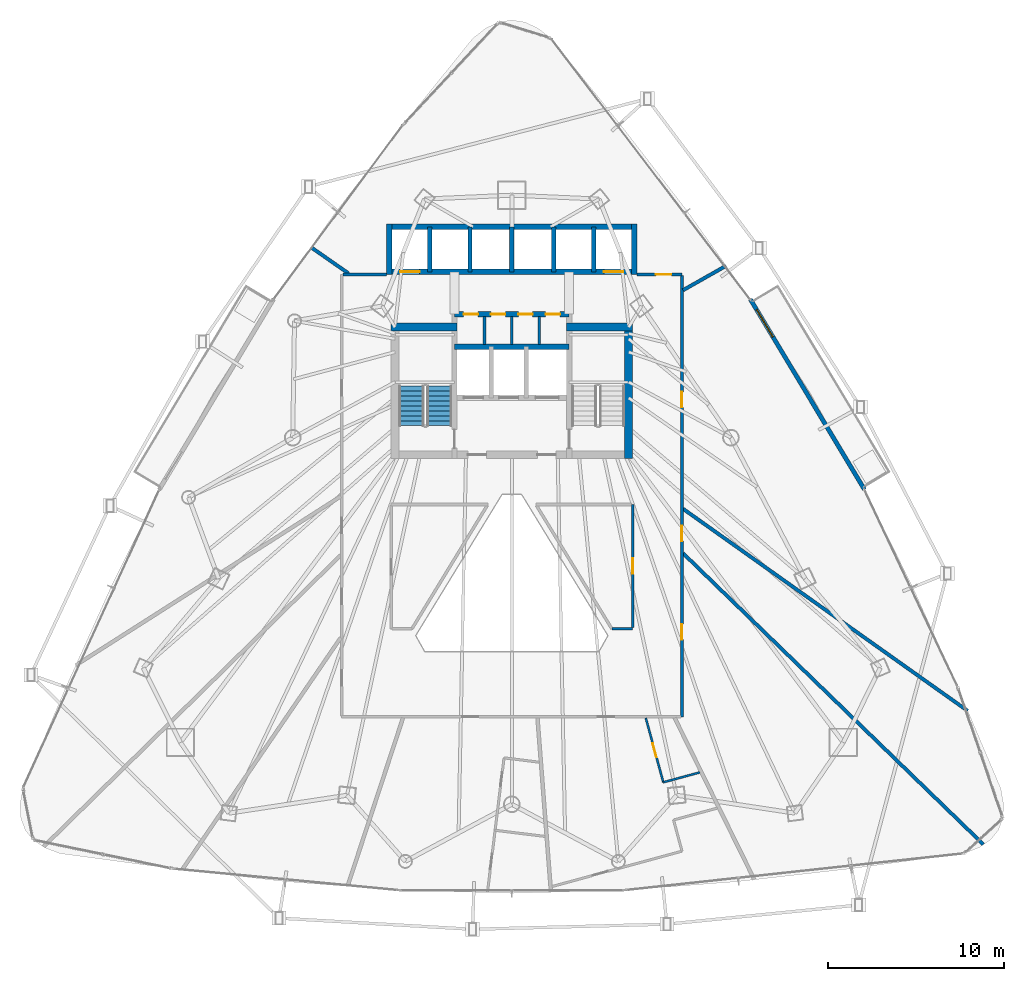
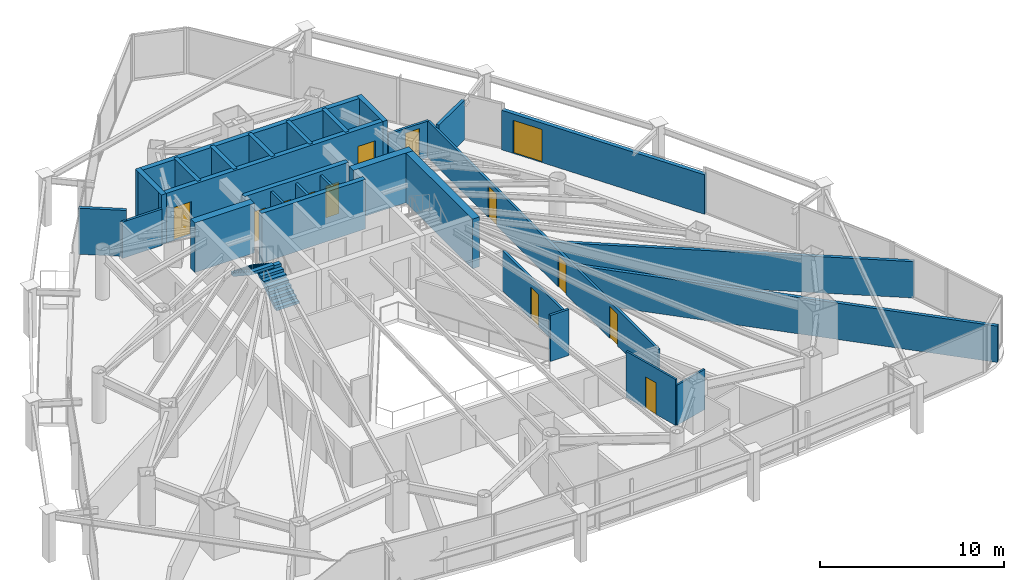
# One storey, part 29 of 33: 29 walls, 13 doors, 2 stair flights, 13 openings, 1 element without a shape of its own.
"""IFC4 building model written with IfcOpenShell, lengths in metres."""

from ifc_helpers import new_model, si_unit, direction, frame, frame_2d, origin, place, context, subcontext, project, spatial, polyline, rectangle, outline, extrude, material, layer, layer_set, type_object, element, fill, aggregate, save


model = new_model("IFC4")

# Units and contexts
model_context = context("Model", 3, precision=1e-05, world=origin(), true_north=direction((0.0, 1.0)))
body_context = subcontext(model_context, "Body", "Model", "MODEL_VIEW")
ifc_project = project(units=[si_unit("LENGTHUNIT", "METRE"), si_unit("AREAUNIT", "SQUARE_METRE"), si_unit("VOLUMEUNIT", "CUBIC_METRE"), si_unit("PLANEANGLEUNIT", "RADIAN"), si_unit("MASSUNIT", "GRAM", prefix="KILO")], contexts=[model_context])

# Site, building, storey
site_placement = place(None, origin())
site = spatial("IfcSite", under=ifc_project, at=site_placement, CompositionType="ELEMENT")
building_placement = place(site_placement, origin())
building = spatial("IfcBuilding", under=site, at=building_placement, Name="Orvanel Arch Residences", CompositionType="ELEMENT")
storey_placement = place(building_placement, frame((0.0, 0.0, 70.85009765625)))
storey = spatial("IfcBuildingStorey", under=building, at=storey_placement, Name="L19", CompositionType="ELEMENT", Elevation=70.85009765625)

# Wall, opening, door
ifc_material_1 = material(Name="Precast concrete N50 (50 MPa)", Category="concrete")
ifc_layer_1 = layer(ifc_material_1, 0.239990234375)
ifc_layer_set_1 = layer_set([ifc_layer_1], Name="Precast concrete N50 (50 MPa)")
wall_type_1 = type_object("IfcWallType", Name="EW-BAL-240", PredefinedType="SOLIDWALL", material=ifc_layer_set_1)
wall_1_placement = place(storey_placement, frame((53.009033203125, 24.693115234375, 0.0), z_axis=(0.0, 0.0, 1.0), x_axis=(-0.514333361126, 0.857590341382, 0.0)))
wall_1 = element("IfcWall", 1, at=wall_1_placement, inside=storey, type_object=wall_type_1, Name="L19 Balcony Threshold Wall Face 3", PredefinedType="SOLIDWALL", context=body_context, shape_type="SweptSolid", body=[
    extrude(rectangle(XDim=12.6025390625, YDim=0.239990234375, at=frame_2d((6.30126953125, 0.0))), origin(), (0.0, 0.0, 1.0), 2.6240234375),
])
opening_1_placement = place(wall_1_placement, frame((10.10498046875, 0.0, 0.0)))
opening_1 = element("IfcOpeningElement", 2, at=opening_1_placement, cuts=wall_1, Name="Opening DB-180", PredefinedType="OPENING", context=body_context, shape_type="SweptSolid", body=[
    extrude(rectangle(XDim=1.800048828125, YDim=2.199951171875, at=frame_2d((0.89990234375, 1.10009765625))), frame((0.0, 0.1298828125, 0.0), z_axis=(0.0, -1.0, 0.0), x_axis=(1.0, 0.0, 0.0)), (0.0, 0.0, 1.0), 0.260009765625),
])
ifc_material_2 = material(Name="Bronze-anodised aluminium AA6063-T6", Category="aluminium")
door_type_1 = type_object("IfcDoorType", Name="DR-BAL-1800", OperationType="NOTDEFINED", PredefinedType="DOOR", material=ifc_material_2)
door_1_placement = place(opening_1_placement, origin())
door_1 = element("IfcDoor", 3, at=door_1_placement, inside=storey, type_object=door_type_1, Name="DR-L19-BAL-F3 L19 Planted Balcony Access Door Face 3", OperationType="SINGLE_SWING_RIGHT", OverallHeight=2.199951171875, OverallWidth=1.800048828125, PredefinedType="DOOR", context=body_context, shape_type="SweptSolid", body=[
    extrude(rectangle(XDim=1.800048828125, YDim=2.199951171875, at=frame_2d((0.89990234375, 1.10009765625))), frame((0.0, 0.02490234375, 0.0), z_axis=(0.0, -1.0, 0.0), x_axis=(1.0, 0.0, 0.0)), (0.0, 0.0, 1.0), 0.050048828125),
])
fill(opening_1, door_1)

# Walls
ifc_material_3 = material(Name="Concrete N50 (50 MPa)", Category="concrete")
ifc_layer_2 = layer(ifc_material_3, 0.25)
ifc_layer_set_2 = layer_set([ifc_layer_2], Name="Concrete N50 (50 MPa)")
wall_type_2 = type_object("IfcWallType", Name="SW-CORE-250", PredefinedType="SHEAR", material=ifc_layer_set_2)
for number, where, z_axis, x_axis, name in (
    (4, (28.35009765625, 37.050048828125, 0.0), (0.0, 0.0, 1.0), (0.0, 1.0, 0.0), "L19 Passenger Lift Inter-Shaft Wall P13"),
    (5, (30.625, 37.050048828125, 0.0), (0.0, 0.0, 1.0), (0.0, 1.0, 0.0), "L19 Passenger Lift Inter-Shaft Wall P35"),
    (6, (33.0, 37.050048828125, 0.0), (0.0, 0.0, 1.0), (0.0, 1.0, 0.0), "L19 Passenger Lift Inter-Shaft Wall P56"),
    (7, (35.375, 37.050048828125, 0.0), (0.0, 0.0, 1.0), (0.0, 1.0, 0.0), "L19 Passenger Lift Inter-Shaft Wall P64"),
    (8, (37.64990234375, 37.050048828125, 0.0), (0.0, 0.0, 1.0), (0.0, 1.0, 0.0), "L19 Passenger Lift Inter-Shaft Wall P42"),
):
    element("IfcWall", number, at=place(storey_placement, frame(where, z_axis=z_axis, x_axis=x_axis)), inside=storey, type_object=wall_type_2, Name=name, PredefinedType="SHEAR", context=body_context, shape_type="SweptSolid", body=[
        extrude(rectangle(XDim=2.550048828125, YDim=0.25, at=frame_2d((1.27490234375, 0.0))), origin(), (0.0, 0.0, 1.0), 3.2998046875),
    ])
ifc_material_4 = material(Name="Concrete S80 (80 MPa)", Category="concrete")
ifc_layer_3 = layer(ifc_material_4, 0.300048828125)
ifc_layer_set_3 = layer_set([ifc_layer_3], Name="Concrete S80 (80 MPa)")
wall_type_3 = type_object("IfcWallType", Name="SW-CORE-300", PredefinedType="SHEAR", material=ifc_layer_set_3)
wall_2_placement = place(storey_placement, frame((29.75, 32.800048828125, 0.0), z_axis=(0.0, 0.0, 1.0), x_axis=(1.0, 0.0, 0.0)))
element("IfcWall", 9, at=wall_2_placement, inside=storey, type_object=wall_type_3, Name="L19 Emergency Lift Back Core Shear Wall", PredefinedType="SHEAR", context=body_context, shape_type="SweptSolid", body=[
    extrude(rectangle(XDim=6.5, YDim=0.300048828125, at=frame_2d((3.25, 0.0))), origin(), (0.0, 0.0, 1.0), 3.2998046875),
])

# Wall, openings, doors
wall_3_placement = place(storey_placement, frame((29.75, 34.64990234375, 0.0), z_axis=(0.0, 0.0, 1.0), x_axis=(1.0, 0.0, 0.0)))
wall_3 = element("IfcWall", 10, at=wall_3_placement, inside=storey, type_object=wall_type_3, Name="L19 Core Service Band North Shear Wall", PredefinedType="SHEAR", context=body_context, shape_type="SweptSolid", body=[
    extrude(rectangle(XDim=6.5, YDim=0.300048828125, at=frame_2d((3.25, 0.0))), origin(), (0.0, 0.0, 1.0), 3.2998046875),
])
opening_2_placement = place(wall_3_placement, frame((0.514892578125, 0.0, 0.0)))
opening_2 = element("IfcOpeningElement", 11, at=opening_2_placement, cuts=wall_3, Name="Opening DS-082", PredefinedType="OPENING", context=body_context, shape_type="SweptSolid", body=[
    extrude(rectangle(XDim=0.820068359375, YDim=2.10009765625, at=frame_2d((0.41015625, 1.050048828125))), frame((0.0, 0.159912109375, 0.0), z_axis=(0.0, -1.0, 0.0), x_axis=(1.0, 0.0, 0.0)), (0.0, 0.0, 1.0), 0.320068359375),
])
opening_3_placement = place(wall_3_placement, frame((2.06494140625, 0.0, 0.0)))
opening_3 = element("IfcOpeningElement", 12, at=opening_3_placement, cuts=wall_3, Name="Opening DS-082", PredefinedType="OPENING", context=body_context, shape_type="SweptSolid", body=[
    extrude(rectangle(XDim=0.820068359375, YDim=2.10009765625, at=frame_2d((0.41015625, 1.050048828125))), frame((0.0, 0.159912109375, 0.0), z_axis=(0.0, -1.0, 0.0), x_axis=(1.0, 0.0, 0.0)), (0.0, 0.0, 1.0), 0.320068359375),
])
opening_4_placement = place(wall_3_placement, frame((3.614990234375, 0.0, 0.0)))
opening_4 = element("IfcOpeningElement", 13, at=opening_4_placement, cuts=wall_3, Name="Opening DS-082", PredefinedType="OPENING", context=body_context, shape_type="SweptSolid", body=[
    extrude(rectangle(XDim=0.820068359375, YDim=2.10009765625, at=frame_2d((0.41015625, 1.050048828125))), frame((0.0, 0.159912109375, 0.0), z_axis=(0.0, -1.0, 0.0), x_axis=(1.0, 0.0, 0.0)), (0.0, 0.0, 1.0), 0.320068359375),
])
opening_5_placement = place(wall_3_placement, frame((5.1650390625, 0.0, 0.0)))
opening_5 = element("IfcOpeningElement", 14, at=opening_5_placement, cuts=wall_3, Name="Opening DS-082", PredefinedType="OPENING", context=body_context, shape_type="SweptSolid", body=[
    extrude(rectangle(XDim=0.820068359375, YDim=2.10009765625, at=frame_2d((0.41015625, 1.050048828125))), frame((0.0, 0.159912109375, 0.0), z_axis=(0.0, -1.0, 0.0), x_axis=(1.0, 0.0, 0.0)), (0.0, 0.0, 1.0), 0.320068359375),
])
ifc_material_5 = material(Name="Galvanised steel fire-resisting door assembly", Category="steel")
door_type_2 = type_object("IfcDoorType", Name="DR-SVC-820", OperationType="NOTDEFINED", PredefinedType="DOOR", material=ifc_material_5)
door_2_placement = place(opening_2_placement, origin())
door_2 = element("IfcDoor", 15, at=door_2_placement, inside=storey, type_object=door_type_2, Name="DR-L19-CSVC-1 L19 Linen Store Door", OperationType="SINGLE_SWING_LEFT", OverallHeight=2.10009765625, OverallWidth=0.820068359375, PredefinedType="DOOR", context=body_context, shape_type="SweptSolid", body=[
    extrude(rectangle(XDim=0.820068359375, YDim=2.10009765625, at=frame_2d((0.41015625, 1.050048828125))), frame((0.0, 0.02490234375, 0.0), z_axis=(0.0, -1.0, 0.0), x_axis=(1.0, 0.0, 0.0)), (0.0, 0.0, 1.0), 0.050048828125),
])
fill(opening_2, door_2)
door_3_placement = place(opening_3_placement, origin())
door_3 = element("IfcDoor", 16, at=door_3_placement, inside=storey, type_object=door_type_2, Name="DR-L19-CSVC-2 L19 Cleaner's Store Door", OperationType="SINGLE_SWING_LEFT", OverallHeight=2.10009765625, OverallWidth=0.820068359375, PredefinedType="DOOR", context=body_context, shape_type="SweptSolid", body=[
    extrude(rectangle(XDim=0.820068359375, YDim=2.10009765625, at=frame_2d((0.41015625, 1.050048828125))), frame((0.0, 0.02490234375, 0.0), z_axis=(0.0, -1.0, 0.0), x_axis=(1.0, 0.0, 0.0)), (0.0, 0.0, 1.0), 0.050048828125),
])
fill(opening_3, door_3)
door_4_placement = place(opening_4_placement, origin())
door_4 = element("IfcDoor", 17, at=door_4_placement, inside=storey, type_object=door_type_2, Name="DR-L19-CSVC-3 L19 Electrical Meter Store Door", OperationType="SINGLE_SWING_LEFT", OverallHeight=2.10009765625, OverallWidth=0.820068359375, PredefinedType="DOOR", context=body_context, shape_type="SweptSolid", body=[
    extrude(rectangle(XDim=0.820068359375, YDim=2.10009765625, at=frame_2d((0.41015625, 1.050048828125))), frame((0.0, 0.02490234375, 0.0), z_axis=(0.0, -1.0, 0.0), x_axis=(1.0, 0.0, 0.0)), (0.0, 0.0, 1.0), 0.050048828125),
])
fill(opening_4, door_4)
door_5_placement = place(opening_5_placement, origin())
door_5 = element("IfcDoor", 18, at=door_5_placement, inside=storey, type_object=door_type_2, Name="DR-L19-CSVC-4 L19 Housekeeping Supply Store Door", OperationType="SINGLE_SWING_LEFT", OverallHeight=2.10009765625, OverallWidth=0.820068359375, PredefinedType="DOOR", context=body_context, shape_type="SweptSolid", body=[
    extrude(rectangle(XDim=0.820068359375, YDim=2.10009765625, at=frame_2d((0.41015625, 1.050048828125))), frame((0.0, 0.02490234375, 0.0), z_axis=(0.0, -1.0, 0.0), x_axis=(1.0, 0.0, 0.0)), (0.0, 0.0, 1.0), 0.050048828125),
])
fill(opening_5, door_5)

wall_4_placement = place(storey_placement, frame((40.10009765625, 37.050048828125, 0.0), z_axis=(0.0, 0.0, 1.0), x_axis=(-1.0, 0.0, 0.0)))
wall_4 = element("IfcWall", 19, at=wall_4_placement, inside=storey, type_object=wall_type_3, Name="L19 Passenger Lift Bank Front Shear Wall", PredefinedType="SHEAR", context=body_context, shape_type="SweptSolid", body=[
    extrude(rectangle(XDim=14.2001953125, YDim=0.300048828125, at=frame_2d((7.10009765625, 0.0))), origin(), (0.0, 0.0, 1.0), 3.2998046875),
])
opening_6_placement = place(wall_4_placement, frame((12.324951171875, 0.0, 0.0)))
opening_6 = element("IfcOpeningElement", 20, at=opening_6_placement, cuts=wall_4, Name="Opening LD-110", PredefinedType="OPENING", context=body_context, shape_type="SweptSolid", body=[
    extrude(rectangle(XDim=1.10009765625, YDim=2.199951171875, at=frame_2d((0.550048828125, 1.10009765625))), frame((0.0, 0.159912109375, 0.0), z_axis=(0.0, -1.0, 0.0), x_axis=(1.0, 0.0, 0.0)), (0.0, 0.0, 1.0), 0.320068359375),
])
opening_7_placement = place(wall_4_placement, frame((0.77490234375, 0.0, 0.0)))
opening_7 = element("IfcOpeningElement", 21, at=opening_7_placement, cuts=wall_4, Name="Opening LD-110", PredefinedType="OPENING", context=body_context, shape_type="SweptSolid", body=[
    extrude(rectangle(XDim=1.10009765625, YDim=2.199951171875, at=frame_2d((0.550048828125, 1.10009765625))), frame((0.0, 0.159912109375, 0.0), z_axis=(0.0, -1.0, 0.0), x_axis=(1.0, 0.0, 0.0)), (0.0, 0.0, 1.0), 0.320068359375),
])
door_type_3 = type_object("IfcDoorType", Name="DR-LFT-1100", OperationType="NOTDEFINED", PredefinedType="DOOR", material=ifc_material_5)
door_6_placement = place(opening_6_placement, origin())
door_6 = element("IfcDoor", 22, at=door_6_placement, inside=storey, type_object=door_type_3, Name="LD-P1-L19 L19 Passenger Lift P1 Sliding Landing Door", OperationType="DOUBLE_DOOR_SLIDING", OverallHeight=2.199951171875, OverallWidth=1.10009765625, PredefinedType="DOOR", context=body_context, shape_type="SweptSolid", body=[
    extrude(rectangle(XDim=1.10009765625, YDim=2.199951171875, at=frame_2d((0.550048828125, 1.10009765625))), frame((0.0, 0.02490234375, 0.0), z_axis=(0.0, -1.0, 0.0), x_axis=(1.0, 0.0, 0.0)), (0.0, 0.0, 1.0), 0.050048828125),
])
fill(opening_6, door_6)
door_7_placement = place(opening_7_placement, origin())
door_7 = element("IfcDoor", 23, at=door_7_placement, inside=storey, type_object=door_type_3, Name="LD-P2-L19 L19 Passenger Lift P2 Sliding Landing Door", OperationType="DOUBLE_DOOR_SLIDING", OverallHeight=2.199951171875, OverallWidth=1.10009765625, PredefinedType="DOOR", context=body_context, shape_type="SweptSolid", body=[
    extrude(rectangle(XDim=1.10009765625, YDim=2.199951171875, at=frame_2d((0.550048828125, 1.10009765625))), frame((0.0, 0.02490234375, 0.0), z_axis=(0.0, -1.0, 0.0), x_axis=(1.0, 0.0, 0.0)), (0.0, 0.0, 1.0), 0.050048828125),
])
fill(opening_7, door_7)

# Walls
wall_5_placement = place(storey_placement, frame((25.89990234375, 39.60009765625, 0.0), z_axis=(0.0, 0.0, 1.0), x_axis=(1.0, 0.0, 0.0)))
element("IfcWall", 24, at=wall_5_placement, inside=storey, type_object=wall_type_3, Name="L19 Passenger Lift Bank North Shear Wall", PredefinedType="SHEAR", context=body_context, shape_type="SweptSolid", body=[
    extrude(rectangle(XDim=14.2001953125, YDim=0.300048828125, at=frame_2d((7.10009765625, 0.0))), origin(), (0.0, 0.0, 1.0), 3.2998046875),
])
for number, where, z_axis, x_axis, name in (
    (25, (26.050048828125, 36.89990234375, 0.0), (0.0, 0.0, 1.0), (0.0, 1.0, 0.0), "L19 Passenger Lift Bank West Shear Wall"),
    (26, (39.949951171875, 36.89990234375, 0.0), (0.0, 0.0, 1.0), (0.0, 1.0, 0.0), "L19 Passenger Lift Bank East Shear Wall"),
):
    element("IfcWall", number, at=place(storey_placement, frame(where, z_axis=z_axis, x_axis=x_axis)), inside=storey, type_object=wall_type_3, Name=name, PredefinedType="SHEAR", context=body_context, shape_type="SweptSolid", body=[
        extrude(rectangle(XDim=2.85009765625, YDim=0.300048828125, at=frame_2d((1.425048828125, 0.0))), origin(), (0.0, 0.0, 1.0), 3.2998046875),
    ])
ifc_layer_4 = layer(ifc_material_4, 0.449951171875)
ifc_layer_set_4 = layer_set([ifc_layer_4], Name="Concrete S80 (80 MPa)")
wall_type_4 = type_object("IfcWallType", Name="SW-CORE-450", PredefinedType="SHEAR", material=ifc_layer_set_4)
wall_6_placement = place(storey_placement, frame((26.14990234375, 33.925048828125, 0.0), z_axis=(0.0, 0.0, 1.0), x_axis=(1.0, 0.0, 0.0)))
element("IfcWall", 27, at=wall_6_placement, inside=storey, type_object=wall_type_4, Name="L19 West Stair North Shear Wall", PredefinedType="SHEAR", context=body_context, shape_type="SweptSolid", body=[
    extrude(rectangle(XDim=3.75, YDim=0.449951171875, at=frame_2d((1.875, 0.0))), origin(), (0.0, 0.0, 1.0), 3.2998046875),
])
wall_7_placement = place(storey_placement, frame((39.625, 26.449951171875, 0.0), z_axis=(0.0, 0.0, 1.0), x_axis=(0.0, 1.0, 0.0)))
element("IfcWall", 28, at=wall_7_placement, inside=storey, type_object=wall_type_4, Name="L19 East Stair Shear Wall", PredefinedType="SHEAR", context=body_context, shape_type="SweptSolid", body=[
    extrude(rectangle(XDim=7.699951171875, YDim=0.449951171875, at=frame_2d((3.85009765625, 0.0))), origin(), (0.0, 0.0, 1.0), 3.2998046875),
])
wall_8_placement = place(storey_placement, frame((36.10009765625, 33.925048828125, 0.0), z_axis=(0.0, 0.0, 1.0), x_axis=(1.0, 0.0, 0.0)))
element("IfcWall", 29, at=wall_8_placement, inside=storey, type_object=wall_type_4, Name="L19 East Stair North Shear Wall", PredefinedType="SHEAR", context=body_context, shape_type="SweptSolid", body=[
    extrude(rectangle(XDim=3.75, YDim=0.449951171875, at=frame_2d((1.875, 0.0))), origin(), (0.0, 0.0, 1.0), 3.2998046875),
])

# Wall, opening, door
ifc_material_6 = material(Name="Fire-rated plasterboard lined steel stud partition", Category="steel")
ifc_layer_5 = layer(ifc_material_6, 0.14990234375)
ifc_layer_set_5 = layer_set([ifc_layer_5], Name="Fire-rated plasterboard lined steel stud partition")
wall_type_5 = type_object("IfcWallType", Name="W-COR-150", PredefinedType="PARTITIONING", material=ifc_layer_set_5)
wall_9_placement = place(storey_placement, frame((40.10009765625, 36.89990234375, 0.0), z_axis=(0.0, 0.0, 1.0), x_axis=(1.0, 0.0, 0.0)))
wall_9 = element("IfcWall", 30, at=wall_9_placement, inside=storey, type_object=wall_type_5, Name="L19 Corridor Fire-Rated Partition", PredefinedType="PARTITIONING", context=body_context, shape_type="SweptSolid", body=[
    extrude(rectangle(XDim=2.5498046875, YDim=0.14990234375, at=frame_2d((1.27490234375, 0.0))), origin(), (0.0, 0.0, 1.0), 2.412841796875),
])
opening_8_placement = place(wall_9_placement, frame((1.069091796875, 0.0, 0.0)))
opening_8 = element("IfcOpeningElement", 31, at=opening_8_placement, cuts=wall_9, Name="Opening DI-088", PredefinedType="OPENING", context=body_context, shape_type="SweptSolid", body=[
    extrude(rectangle(XDim=0.8798828125, YDim=2.10009765625, at=frame_2d((0.43994140625, 1.050048828125))), frame((0.0, 0.0849609375, 0.0), z_axis=(0.0, -1.0, 0.0), x_axis=(1.0, 0.0, 0.0)), (0.0, 0.0, 1.0), 0.169921875),
])
ifc_material_7 = material(Name="Solid-core European oak veneer fire door leaf", Category="wood")
door_type_4 = type_object("IfcDoorType", Name="DR-INT-880", OperationType="NOTDEFINED", PredefinedType="DOOR", material=ifc_material_7)
door_8_placement = place(opening_8_placement, origin())
door_8 = element("IfcDoor", 32, at=door_8_placement, inside=storey, type_object=door_type_4, Name="DR-L19-SHRD-FB1 L19 Co-Working Study Office A Door", OperationType="SINGLE_SWING_LEFT", OverallHeight=2.10009765625, OverallWidth=0.8798828125, PredefinedType="DOOR", context=body_context, shape_type="SweptSolid", body=[
    extrude(rectangle(XDim=0.8798828125, YDim=2.10009765625, at=frame_2d((0.43994140625, 1.050048828125))), frame((0.0, 0.02490234375, 0.0), z_axis=(0.0, -1.0, 0.0), x_axis=(1.0, 0.0, 0.0)), (0.0, 0.0, 1.0), 0.050048828125),
])
fill(opening_8, door_8)

# Wall, openings, doors
wall_10_placement = place(storey_placement, frame((42.64990234375, 36.840087890625, 0.0), z_axis=(0.0, 0.0, 1.0), x_axis=(0.0, -1.0, 0.0)))
wall_10 = element("IfcWall", 33, at=wall_10_placement, inside=storey, type_object=wall_type_5, Name="L19 Corridor Fire-Rated Partition", PredefinedType="PARTITIONING", context=body_context, shape_type="SweptSolid", body=[
    extrude(rectangle(XDim=25.0400390625, YDim=0.14990234375, at=frame_2d((12.52001953125, 0.0))), origin(), (0.0, 0.0, 1.0), 2.412841796875),
])
opening_9_placement = place(wall_10_placement, frame((6.596923828125, 0.0, 0.0)))
opening_9 = element("IfcOpeningElement", 34, at=opening_9_placement, cuts=wall_10, Name="Opening DI-088", PredefinedType="OPENING", context=body_context, shape_type="SweptSolid", body=[
    extrude(rectangle(XDim=0.8798828125, YDim=2.10009765625, at=frame_2d((0.43994140625, 1.050048828125))), frame((0.0, 0.0849609375, 0.0), z_axis=(0.0, -1.0, 0.0), x_axis=(1.0, 0.0, 0.0)), (0.0, 0.0, 1.0), 0.169921875),
])
opening_10_placement = place(wall_10_placement, frame((19.777099609375, 0.0, 0.0)))
opening_10 = element("IfcOpeningElement", 35, at=opening_10_placement, cuts=wall_10, Name="Opening DI-088", PredefinedType="OPENING", context=body_context, shape_type="SweptSolid", body=[
    extrude(rectangle(XDim=0.8798828125, YDim=2.10009765625, at=frame_2d((0.43994140625, 1.050048828125))), frame((0.0, 0.0849609375, 0.0), z_axis=(0.0, -1.0, 0.0), x_axis=(1.0, 0.0, 0.0)), (0.0, 0.0, 1.0), 0.169921875),
])
opening_11_placement = place(wall_10_placement, frame((14.193115234375, 0.0, 0.0)))
opening_11 = element("IfcOpeningElement", 36, at=opening_11_placement, cuts=wall_10, Name="Opening DI-088", PredefinedType="OPENING", context=body_context, shape_type="SweptSolid", body=[
    extrude(rectangle(XDim=0.8798828125, YDim=2.10009765625, at=frame_2d((0.43994140625, 1.050048828125))), frame((0.0, 0.0849609375, 0.0), z_axis=(0.0, -1.0, 0.0), x_axis=(1.0, 0.0, 0.0)), (0.0, 0.0, 1.0), 0.169921875),
])
door_9_placement = place(opening_9_placement, origin())
door_9 = element("IfcDoor", 37, at=door_9_placement, inside=storey, type_object=door_type_4, Name="DR-L19-SHRD-FB2 L19 Co-Working Study Office B Door", OperationType="SINGLE_SWING_LEFT", OverallHeight=2.10009765625, OverallWidth=0.8798828125, PredefinedType="DOOR", context=body_context, shape_type="SweptSolid", body=[
    extrude(rectangle(XDim=0.8798828125, YDim=2.10009765625, at=frame_2d((0.43994140625, 1.050048828125))), frame((0.0, 0.02490234375, 0.0), z_axis=(0.0, -1.0, 0.0), x_axis=(1.0, 0.0, 0.0)), (0.0, 0.0, 1.0), 0.050048828125),
])
fill(opening_9, door_9)
door_10_placement = place(opening_10_placement, origin())
door_10 = element("IfcDoor", 38, at=door_10_placement, inside=storey, type_object=door_type_4, Name="DR-L19-SHRD-FB3 L19 Co-Working Study Office C Door", OperationType="SINGLE_SWING_LEFT", OverallHeight=2.10009765625, OverallWidth=0.8798828125, PredefinedType="DOOR", context=body_context, shape_type="SweptSolid", body=[
    extrude(rectangle(XDim=0.8798828125, YDim=2.10009765625, at=frame_2d((0.43994140625, 1.050048828125))), frame((0.0, 0.02490234375, 0.0), z_axis=(0.0, -1.0, 0.0), x_axis=(1.0, 0.0, 0.0)), (0.0, 0.0, 1.0), 0.050048828125),
])
fill(opening_10, door_10)
door_11_placement = place(opening_11_placement, origin())
door_11 = element("IfcDoor", 39, at=door_11_placement, inside=storey, type_object=door_type_4, Name="DR-L19-SHRD-FB9 L19 Co-Working Study Office I Door", OperationType="SINGLE_SWING_LEFT", OverallHeight=2.10009765625, OverallWidth=0.8798828125, PredefinedType="DOOR", context=body_context, shape_type="SweptSolid", body=[
    extrude(rectangle(XDim=0.8798828125, YDim=2.10009765625, at=frame_2d((0.43994140625, 1.050048828125))), frame((0.0, 0.02490234375, 0.0), z_axis=(0.0, -1.0, 0.0), x_axis=(1.0, 0.0, 0.0)), (0.0, 0.0, 1.0), 0.050048828125),
])
fill(opening_11, door_11)

# Walls
wall_11_placement = place(storey_placement, frame((23.409912109375, 36.89990234375, 0.0), z_axis=(0.0, 0.0, 1.0), x_axis=(1.0, 0.0, 0.0)))
element("IfcWall", 40, at=wall_11_placement, inside=storey, type_object=wall_type_5, Name="L19 Corridor Fire-Rated Partition", PredefinedType="PARTITIONING", context=body_context, shape_type="SweptSolid", body=[
    extrude(rectangle(XDim=2.489990234375, YDim=0.14990234375, at=frame_2d((1.2451171875, 0.0))), origin(), (0.0, 0.0, 1.0), 2.412841796875),
])
wall_12_placement = place(storey_placement, frame((38.673095703125, 16.800048828125, 0.0), z_axis=(0.0, 0.0, 1.0), x_axis=(1.0, 0.0, 0.0)))
element("IfcWall", 41, at=wall_12_placement, inside=storey, type_object=wall_type_5, Name="L19 Corridor Fire-Rated Partition", PredefinedType="PARTITIONING", context=body_context, shape_type="SweptSolid", body=[
    extrude(rectangle(XDim=1.177001953125, YDim=0.14990234375, at=frame_2d((0.58837890625, 0.0))), origin(), (0.0, 0.0, 1.0), 3.059814453125),
])

# Wall, opening, door
wall_13_placement = place(storey_placement, frame((39.85009765625, 16.860107421875, 0.0), z_axis=(0.0, 0.0, 1.0), x_axis=(0.0, 1.0, 0.0)))
wall_13 = element("IfcWall", 42, at=wall_13_placement, inside=storey, type_object=wall_type_5, Name="L19 Corridor Fire-Rated Partition", PredefinedType="PARTITIONING", context=body_context, shape_type="SweptSolid", body=[
    extrude(rectangle(XDim=6.989990234375, YDim=0.14990234375, at=frame_2d((3.4951171875, 0.0))), origin(), (0.0, 0.0, 1.0), 2.6689453125),
])
opening_12_placement = place(wall_13_placement, frame((3.054931640625, 0.0, 0.0)))
opening_12 = element("IfcOpeningElement", 43, at=opening_12_placement, cuts=wall_13, Name="Opening DI-088", PredefinedType="OPENING", context=body_context, shape_type="SweptSolid", body=[
    extrude(rectangle(XDim=0.8798828125, YDim=2.10009765625, at=frame_2d((0.43994140625, 1.050048828125))), frame((0.0, 0.0849609375, 0.0), z_axis=(0.0, -1.0, 0.0), x_axis=(1.0, 0.0, 0.0)), (0.0, 0.0, 1.0), 0.169921875),
])
door_12_placement = place(opening_12_placement, origin())
door_12 = element("IfcDoor", 44, at=door_12_placement, inside=storey, type_object=door_type_4, Name="DR-L19-SHRD-FB11 L19 Co-Working Study Office K Door", OperationType="SINGLE_SWING_LEFT", OverallHeight=2.10009765625, OverallWidth=0.8798828125, PredefinedType="DOOR", context=body_context, shape_type="SweptSolid", body=[
    extrude(rectangle(XDim=0.8798828125, YDim=2.10009765625, at=frame_2d((0.43994140625, 1.050048828125))), frame((0.0, 0.02490234375, 0.0), z_axis=(0.0, -1.0, 0.0), x_axis=(1.0, 0.0, 0.0)), (0.0, 0.0, 1.0), 0.050048828125),
])
fill(opening_12, door_12)

# Walls
ifc_layer_6 = layer(ifc_material_6, 0.199951171875)
ifc_layer_set_6 = layer_set([ifc_layer_6], Name="Fire-rated plasterboard lined steel stud partition")
wall_type_6 = type_object("IfcWallType", Name="W-DEM-200", PredefinedType="PARTITIONING", material=ifc_layer_set_6)
wall_14_placement = place(storey_placement, frame((45.152099609375, 37.39111328125, 0.0), z_axis=(0.0, 0.0, 1.0), x_axis=(-0.86984931175, -0.4933175193, 0.0)))
element("IfcWall", 45, at=wall_14_placement, inside=storey, type_object=wall_type_6, Name="L19 Inter-Tenancy Acoustic Demising Wall", PredefinedType="PARTITIONING", context=body_context, shape_type="SweptSolid", body=[
    extrude(rectangle(XDim=2.8076171875, YDim=0.199951171875, at=frame_2d((1.40380859375, 0.0))), origin(), (0.0, 0.0, 1.0), 2.618896484375),
])
wall_15_placement = place(storey_placement, frame((23.736083984375, 36.9599609375, 0.0), z_axis=(0.0, 0.0, 1.0), x_axis=(-0.820275422115, 0.571968733302, 0.0)))
element("IfcWall", 46, at=wall_15_placement, inside=storey, type_object=wall_type_6, Name="L19 Inter-Tenancy Acoustic Demising Wall", PredefinedType="PARTITIONING", context=body_context, shape_type="SweptSolid", body=[
    extrude(rectangle(XDim=2.6015625, YDim=0.199951171875, at=frame_2d((1.30078125, 0.0))), origin(), (0.0, 0.0, 1.0), 3.059814453125),
])
wall_16_placement = place(storey_placement, frame((58.865966796875, 12.14111328125, 0.0), z_axis=(0.0, 0.0, 1.0), x_axis=(-0.815477500133, 0.578788775614, 0.0)))
element("IfcWall", 47, at=wall_16_placement, inside=storey, type_object=wall_type_6, Name="L19 Inter-Tenancy Acoustic Demising Wall", PredefinedType="PARTITIONING", context=body_context, shape_type="SweptSolid", body=[
    extrude(rectangle(XDim=19.811767578125, YDim=0.199951171875, at=frame_2d((9.90576171875, 0.0))), origin(), (0.0, 0.0, 1.0), 2.412841796875),
])
wall_17_placement = place(storey_placement, frame((42.7099609375, 21.0869140625, 0.0), z_axis=(0.0, 0.0, 1.0), x_axis=(0.717996025824, -0.696047201633, 0.0)))
element("IfcWall", 48, at=wall_17_placement, inside=storey, type_object=wall_type_6, Name="L19 Inter-Tenancy Acoustic Demising Wall", PredefinedType="PARTITIONING", context=body_context, shape_type="SweptSolid", body=[
    extrude(rectangle(XDim=23.73681640625, YDim=0.199951171875, at=frame_2d((11.868408203125, 0.0))), origin(), (0.0, 0.0, 1.0), 2.412841796875),
])
ifc_layer_7 = layer(ifc_material_6, 0.14990234375)
ifc_layer_set_7 = layer_set([ifc_layer_7], Name="Fire-rated plasterboard lined steel stud partition")
wall_type_7 = type_object("IfcWallType", Name="W-ST-150", PredefinedType="PARTITIONING", material=ifc_layer_set_7)
for number, where, z_axis, x_axis, name in (
    (49, (31.449951171875, 32.93505859375, 0.0), (0.0, 0.0, 1.0), (0.0, 1.0, 0.0), "L19 Core Service Partition 1"),
    (50, (33.0, 32.93505859375, 0.0), (0.0, 0.0, 1.0), (0.0, 1.0, 0.0), "L19 Core Service Partition 2"),
    (51, (34.550048828125, 32.93505859375, 0.0), (0.0, 0.0, 1.0), (0.0, 1.0, 0.0), "L19 Core Service Partition 3"),
):
    element("IfcWall", number, at=place(storey_placement, frame(where, z_axis=z_axis, x_axis=x_axis)), inside=storey, type_object=wall_type_7, Name=name, PredefinedType="PARTITIONING", context=body_context, shape_type="SweptSolid", body=[
        extrude(rectangle(XDim=1.579833984375, YDim=0.14990234375, at=frame_2d((0.7900390625, 0.0))), origin(), (0.0, 0.0, 1.0), 3.059814453125),
    ])

# Wall, opening, door
ifc_material_8 = material(Name="Acoustic plasterboard lined twin-stud partition", Category="gypsum")
ifc_layer_8 = layer(ifc_material_8, 0.1201171875)
ifc_layer_set_8 = layer_set([ifc_layer_8], Name="Acoustic plasterboard lined twin-stud partition")
wall_type_8 = type_object("IfcWallType", Name="W-WET-120", PredefinedType="PARTITIONING", material=ifc_layer_set_8)
wall_18_placement = place(storey_placement, frame((40.60009765625, 11.739990234375, 0.0), z_axis=(0.0, 0.0, 1.0), x_axis=(0.262500212575, -0.964931934593, 0.0)))
wall_18 = element("IfcWall", 52, at=wall_18_placement, inside=storey, type_object=wall_type_8, Name="L19 Studio H Bathroom Partition", PredefinedType="PARTITIONING", context=body_context, shape_type="SweptSolid", body=[
    extrude(rectangle(XDim=3.782470703125, YDim=0.1201171875, at=frame_2d((1.89111328125, 0.0))), origin(), (0.0, 0.0, 1.0), 3.059814453125),
])
opening_13_placement = place(wall_18_placement, frame((1.48095703125, 0.0, 0.0)))
opening_13 = element("IfcOpeningElement", 53, at=opening_13_placement, cuts=wall_18, Name="Opening DW-082", PredefinedType="OPENING", context=body_context, shape_type="SweptSolid", body=[
    extrude(rectangle(XDim=0.820068359375, YDim=2.10009765625, at=frame_2d((0.41015625, 1.050048828125))), frame((0.0, 0.070068359375, 0.0), z_axis=(0.0, -1.0, 0.0), x_axis=(1.0, 0.0, 0.0)), (0.0, 0.0, 1.0), 0.14013671875),
])
door_type_5 = type_object("IfcDoorType", Name="DR-WET-820", OperationType="NOTDEFINED", PredefinedType="DOOR", material=ifc_material_7)
door_13_placement = place(opening_13_placement, origin())
door_13 = element("IfcDoor", 54, at=door_13_placement, inside=storey, type_object=door_type_5, Name="DR-L19-H-BATH L19 Studio H Bathroom Door", OperationType="SINGLE_SWING_RIGHT", OverallHeight=2.10009765625, OverallWidth=0.820068359375, PredefinedType="DOOR", context=body_context, shape_type="SweptSolid", body=[
    extrude(rectangle(XDim=0.820068359375, YDim=2.10009765625, at=frame_2d((0.41015625, 1.050048828125))), frame((0.0, 0.02490234375, 0.0), z_axis=(0.0, -1.0, 0.0), x_axis=(1.0, 0.0, 0.0)), (0.0, 0.0, 1.0), 0.050048828125),
])
fill(opening_13, door_13)

# Wall
wall_19_placement = place(storey_placement, frame((41.593017578125, 8.090087890625, 0.0), z_axis=(0.0, 0.0, 1.0), x_axis=(0.964897502324, 0.262626750367, 0.0)))
element("IfcWall", 55, at=wall_19_placement, inside=storey, type_object=wall_type_8, Name="L19 Studio H Bathroom Partition", PredefinedType="PARTITIONING", context=body_context, shape_type="SweptSolid", body=[
    extrude(rectangle(XDim=2.1474609375, YDim=0.1201171875, at=frame_2d((1.07373046875, 0.0))), origin(), (0.0, 0.0, 1.0), 2.6689453125),
])

# Stair, stair flights
stair_type = type_object("IfcStairType", Name="STR-DOG-184", PredefinedType="USERDEFINED", material=ifc_material_1)
stair_placement = place(storey_placement, origin())
stair = element("IfcStair", 56, at=stair_placement, inside=storey, type_object=stair_type, Name="L19 Fire-Isolated Core Exit Stair 1", ObjectType="TWO_RETURN_STAIR", PredefinedType="USERDEFINED")
stair_flight_type = type_object("IfcStairFlightType", Name="SFL-C1-184", PredefinedType="STRAIGHT", material=ifc_material_1)
stair_flight_1_placement = place(storey_placement, frame((28.889892578125, 28.320068359375, 0.0), z_axis=(0.0, 0.0, 1.0), x_axis=(0.0, 1.0, 0.0)))
stair_flight_1 = element("IfcStairFlight", 57, at=stair_flight_1_placement, type_object=stair_flight_type, Name="ST-1 flight 1", NumberOfRisers=9, NumberOfTreads=8, PredefinedType="STRAIGHT", RiserHeight=0.183333333, TreadLength=0.28, context=body_context, shape_type="SweptSolid", body=[
    extrude(outline(polyline([(0.0, 0.0), (0.0, 0.183349609375), (0.280029296875, 0.183349609375), (0.280029296875, 0.36669921875), (0.56005859375, 0.36669921875), (0.56005859375, 0.550048828125), (0.840087890625, 0.550048828125), (0.840087890625, 0.7333984375), (1.1201171875, 0.7333984375), (1.1201171875, 0.916748046875), (1.39990234375, 0.916748046875), (1.39990234375, 1.10009765625), (1.679931640625, 1.10009765625), (1.679931640625, 1.283447265625), (1.9599609375, 1.283447265625), (1.9599609375, 1.466552734375), (2.239990234375, 1.466552734375), (2.239990234375, 1.64990234375), (2.239990234375, 1.28759765625), (0.273681640625, 0.0), (0.0, 0.0)])), frame((0.0, 0.7099609375, 0.0), z_axis=(0.0, -1.0, 0.0), x_axis=(1.0, 0.0, 0.0)), (0.0, 0.0, 1.0), 1.419921875),
])
stair_flight_2_placement = place(storey_placement, frame((27.31005859375, 30.56005859375, 1.64990234375), z_axis=(0.0, 0.0, 1.0), x_axis=(0.0, -1.0, 0.0)))
stair_flight_2 = element("IfcStairFlight", 58, at=stair_flight_2_placement, type_object=stair_flight_type, Name="ST-1 flight 2", NumberOfRisers=9, NumberOfTreads=8, PredefinedType="STRAIGHT", RiserHeight=0.183333333, TreadLength=0.28, context=body_context, shape_type="SweptSolid", body=[
    extrude(outline(polyline([(0.0, 0.0), (0.0, 0.183349609375), (0.280029296875, 0.183349609375), (0.280029296875, 0.36669921875), (0.56005859375, 0.36669921875), (0.56005859375, 0.550048828125), (0.840087890625, 0.550048828125), (0.840087890625, 0.7333984375), (1.1201171875, 0.7333984375), (1.1201171875, 0.916748046875), (1.39990234375, 0.916748046875), (1.39990234375, 1.10009765625), (1.679931640625, 1.10009765625), (1.679931640625, 1.283447265625), (1.9599609375, 1.283447265625), (1.9599609375, 1.466552734375), (2.239990234375, 1.466552734375), (2.239990234375, 1.64990234375), (2.239990234375, 1.28759765625), (0.273681640625, 0.0), (0.0, 0.0)])), frame((0.0, 0.7099609375, 0.0), z_axis=(0.0, -1.0, 0.0), x_axis=(1.0, 0.0, 0.0)), (0.0, 0.0, 1.0), 1.419921875),
])
aggregate(stair, [stair_flight_1, stair_flight_2])

save(model, "model.ifc")
